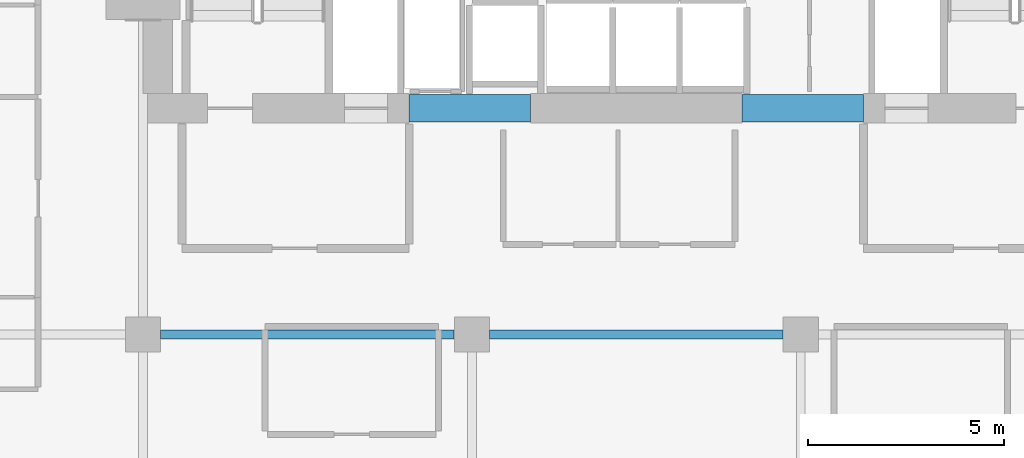
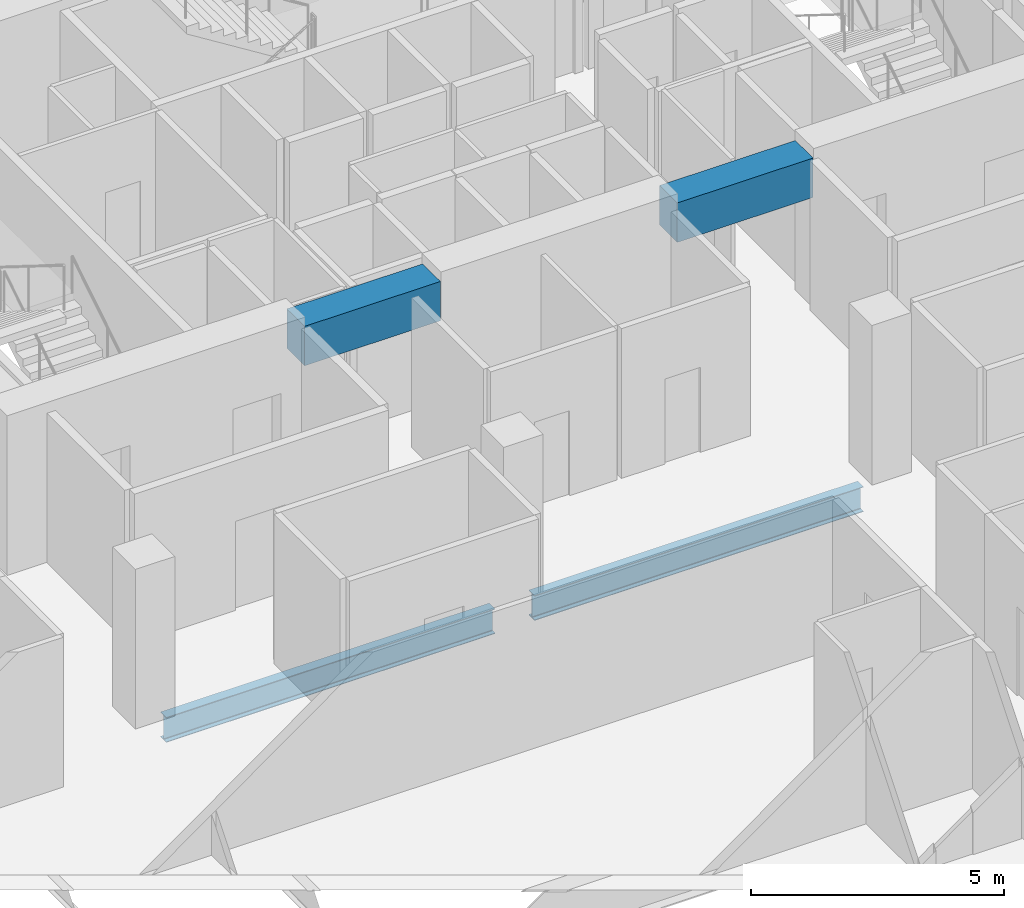
# One storey, part 21 of 33: 4 beams.
"""IFC4 building model written with IfcOpenShell, lengths in metres."""

from ifc_helpers import new_model, si_unit, direction, frame, origin, origin_2d, place, context, subcontext, project, spatial, rectangle, i_section, extrude, material, material_profile, profile_set, type_object, element, save


model = new_model("IFC4")

# Units and contexts
model_context = context("Model", 3, precision=1e-05, world=origin(), true_north=direction((0.0, 1.0)))
body_context = subcontext(model_context, "Body", "Model", "MODEL_VIEW")
ifc_project = project(units=[si_unit("LENGTHUNIT", "METRE"), si_unit("AREAUNIT", "SQUARE_METRE"), si_unit("VOLUMEUNIT", "CUBIC_METRE"), si_unit("PLANEANGLEUNIT", "RADIAN"), si_unit("MASSUNIT", "GRAM", prefix="KILO")], contexts=[model_context])

# Site, building, storey
site_placement = place(None, origin())
site = spatial("IfcSite", under=ifc_project, at=site_placement, CompositionType="ELEMENT")
building_placement = place(site_placement, origin())
building = spatial("IfcBuilding", under=site, at=building_placement, Name="Maruvema Waterfront Hotel and Observation Tower", CompositionType="ELEMENT")
storey_placement = place(building_placement, frame((0.0, 0.0, 158.199951171875)))
storey = spatial("IfcBuildingStorey", under=building, at=storey_placement, Name="L38", CompositionType="ELEMENT", Elevation=158.199951171875)

# Beams
ifc_material_1 = material(Name="Concrete C60/75", Category="concrete")
ifc_material_profile_1 = material_profile(ifc_material_1, rectangle(XDim=0.699951171875, YDim=0.949951171875, at=origin_2d()), Name="CB700x950")
ifc_profile_set_1 = profile_set([ifc_material_profile_1], Name="Concrete C60/75")
beam_type_1 = type_object("IfcBeamType", Name="Core Coupling Lintel Beam CB700x950", PredefinedType="LINTEL", material=ifc_profile_set_1)
for number, where, z_axis, x_axis, name in (
    (1, (32.0, 41.77490234375, 3.135009765625), (1.0, 0.0, 0.0), (0.0, 1.0, 0.0), "L38 Core Coupling Lintel Beam West"),
    (2, (40.5, 41.77490234375, 3.135009765625), (1.0, 0.0, 0.0), (0.0, 1.0, 0.0), "L38 Core Coupling Lintel Beam East"),
):
    element("IfcBeam", number, at=place(storey_placement, frame(where, z_axis=z_axis, x_axis=x_axis)), inside=storey, type_object=beam_type_1, Name=name, PredefinedType="LINTEL", context=body_context, shape_type="SweptSolid", body=[
        extrude(rectangle(XDim=0.699951171875, YDim=0.949951171875, at=origin_2d()), origin(), (0.0, 0.0, 1.0), 3.10009765625),
    ])
ifc_material_2 = material(Name="Steel ASTM A572 Grade 50", Category="steel")
ifc_material_profile_2 = material_profile(ifc_material_2, i_section(OverallWidth=0.22802734375, OverallDepth=0.60302734375, WebThickness=0.010498046875, FlangeThickness=0.014892578125, FilletRadius=0.01806640625, at=origin_2d()), Name="W610x101.0")
ifc_profile_set_2 = profile_set([ifc_material_profile_2], Name="Steel ASTM A572 Grade 50")
beam_type_2 = type_object("IfcBeamType", Name="Primary Floor Girder W610x101.0", PredefinedType="BEAM", material=ifc_profile_set_2)
for number, where, z_axis, x_axis, name in (
    (3, (25.64990234375, 36.0, -0.54150390625), (1.0, 0.0, 0.0), (0.0, 1.0, 0.0), "L38 Floor Girder EW-25"),
    (4, (34.050048828125, 36.0, -0.54150390625), (1.0, 0.0, 0.0), (0.0, 1.0, 0.0), "L38 Floor Girder EW-26"),
):
    element("IfcBeam", number, at=place(storey_placement, frame(where, z_axis=z_axis, x_axis=x_axis)), inside=storey, type_object=beam_type_2, Name=name, PredefinedType="BEAM", context=body_context, shape_type="SweptSolid", body=[
        extrude(i_section(OverallWidth=0.22802734375, OverallDepth=0.60302734375, WebThickness=0.010498046875, FlangeThickness=0.014892578125, FilletRadius=0.01806640625, at=origin_2d()), origin(), (0.0, 0.0, 1.0), 7.5),
    ])

save(model, "model.ifc")
